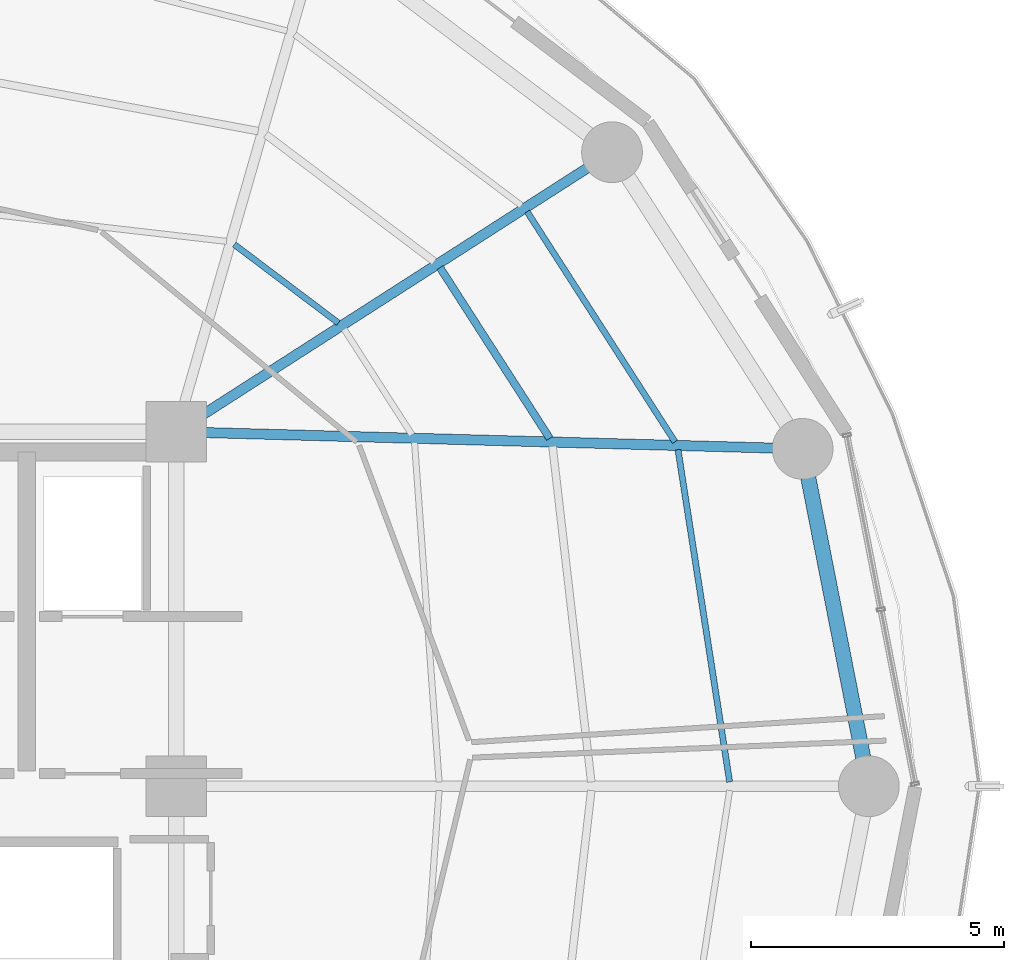
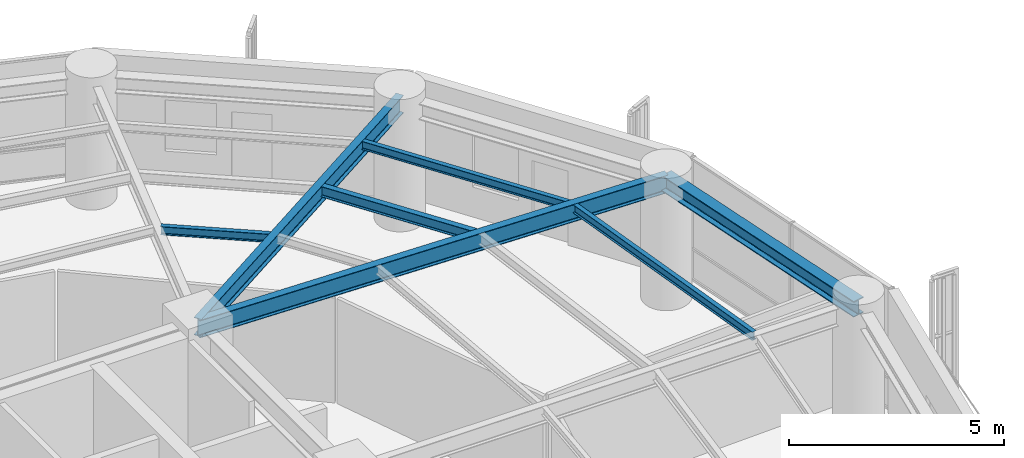
# One storey, part 14 of 28: 7 beams.
"""IFC4 building model written with IfcOpenShell, lengths in metres."""

from ifc_helpers import new_model, si_unit, direction, frame, origin, origin_2d, place, context, subcontext, project, spatial, i_section, extrude, material, material_profile, profile_set, type_object, element, save


model = new_model("IFC4")

# Units and contexts
model_context = context("Model", 3, precision=1e-05, world=origin(), true_north=direction((0.0, 1.0)))
body_context = subcontext(model_context, "Body", "Model", "MODEL_VIEW")
ifc_project = project(units=[si_unit("LENGTHUNIT", "METRE"), si_unit("AREAUNIT", "SQUARE_METRE"), si_unit("VOLUMEUNIT", "CUBIC_METRE"), si_unit("PLANEANGLEUNIT", "RADIAN"), si_unit("MASSUNIT", "GRAM", prefix="KILO")], contexts=[model_context])

# Site, building, storey
site_placement = place(None, origin())
site = spatial("IfcSite", under=ifc_project, at=site_placement, CompositionType="ELEMENT")
building_placement = place(site_placement, origin())
building = spatial("IfcBuilding", under=site, at=building_placement, Name="Kelanora Arch Commons", CompositionType="ELEMENT")
storey_placement = place(building_placement, frame((0.0, 0.0, 158.10009765625)))
storey = spatial("IfcBuildingStorey", under=building, at=storey_placement, Name="L40", CompositionType="ELEMENT", Elevation=158.10009765625)

# Beams
ifc_material = material(Name="Steel S355", Category="steel")
ifc_material_profile_1 = material_profile(ifc_material, i_section(OverallWidth=0.14990234375, OverallDepth=0.300048828125, WebThickness=0.007080078125, FlangeThickness=0.0107421875, FilletRadius=0.014892578125, at=origin_2d()), Name="IPE300")
ifc_profile_set_1 = profile_set([ifc_material_profile_1], Name="Steel S355")
beam_type_1 = type_object("IfcBeamType", Name="BM-JST-01", PredefinedType="JOIST", material=ifc_profile_set_1)
beam_1_placement = place(storey_placement, frame((89.377685546875, 64.869140625, 3.33984375), z_axis=(-0.540594434398, 0.841283339606, 0.0), x_axis=(-0.841283339606, -0.540594434398, 0.0)))
element("IfcBeam", 1, at=beam_1_placement, inside=storey, type_object=beam_type_1, Name="Secondary Chord Joist BJB-02 L40", PredefinedType="JOIST", context=body_context, shape_type="SweptSolid", body=[
    extrude(i_section(OverallWidth=0.14990234375, OverallDepth=0.300048828125, WebThickness=0.007080078125, FlangeThickness=0.0107421875, FilletRadius=0.014892578125, at=origin_2d()), origin(), (0.0, 0.0, 1.0), 4.008544921875),
])
ifc_material_profile_2 = material_profile(ifc_material, i_section(OverallWidth=0.1201171875, OverallDepth=0.239990234375, WebThickness=0.006103515625, FlangeThickness=0.009765625, FilletRadius=0.014892578125, at=origin_2d()), Name="IPE240")
ifc_profile_set_2 = profile_set([ifc_material_profile_2], Name="Steel S355")
beam_type_2 = type_object("IfcBeamType", Name="BM-JST-02", PredefinedType="JOIST", material=ifc_profile_set_2)
beam_2_placement = place(storey_placement, frame((92.930908203125, 58.083984375, 3.369873046875), z_axis=(-0.153562625853, 0.988138917329, 0.0), x_axis=(-0.988138917329, -0.153562625853, 0.0)))
element("IfcBeam", 2, at=beam_2_placement, inside=storey, type_object=beam_type_2, Name="Secondary Chord Joist BJC-00 L40", PredefinedType="JOIST", context=body_context, shape_type="SweptSolid", body=[
    extrude(i_section(OverallWidth=0.1201171875, OverallDepth=0.239990234375, WebThickness=0.006103515625, FlangeThickness=0.009765625, FilletRadius=0.014892578125, at=origin_2d()), origin(), (0.0, 0.0, 1.0), 6.640869140625),
])
beam_3_placement = place(storey_placement, frame((91.85205078125, 64.801513671875, 3.369873046875), z_axis=(-0.540581678156, 0.841291536414, 0.0), x_axis=(-0.841291536414, -0.540581678156, 0.0)))
element("IfcBeam", 3, at=beam_3_placement, inside=storey, type_object=beam_type_2, Name="Secondary Chord Joist BJC-02 L40", PredefinedType="JOIST", context=body_context, shape_type="SweptSolid", body=[
    extrude(i_section(OverallWidth=0.1201171875, OverallDepth=0.239990234375, WebThickness=0.006103515625, FlangeThickness=0.009765625, FilletRadius=0.014892578125, at=origin_2d()), origin(), (0.0, 0.0, 1.0), 5.4013671875),
])
beam_4_placement = place(storey_placement, frame((85.203125, 67.1494140625, 3.369873046875), z_axis=(-0.798484118859, 0.602015873487, 0.0), x_axis=(-0.602015873487, -0.798484118859, 0.0)))
element("IfcBeam", 4, at=beam_4_placement, inside=storey, type_object=beam_type_2, Name="Secondary Chord Joist BJA-04 L40", PredefinedType="JOIST", context=body_context, shape_type="SweptSolid", body=[
    extrude(i_section(OverallWidth=0.1201171875, OverallDepth=0.239990234375, WebThickness=0.006103515625, FlangeThickness=0.009765625, FilletRadius=0.014892578125, at=origin_2d()), origin(), (0.0, 0.0, 1.0), 2.57470703125),
])
ifc_material_profile_3 = material_profile(ifc_material, i_section(OverallWidth=0.199951171875, OverallDepth=0.5, WebThickness=0.01025390625, FlangeThickness=0.01611328125, FilletRadius=0.02099609375, at=origin_2d()), Name="IPE500")
ifc_profile_set_3 = profile_set([ifc_material_profile_3], Name="Steel S355")
beam_type_3 = type_object("IfcBeamType", Name="BM-RAD-Z3", PredefinedType="BEAM", material=ifc_profile_set_3)
beam_5_placement = place(storey_placement, frame((82.0, 65.0, 3.239990234375), z_axis=(0.999628374924, -0.027260081577, 0.0), x_axis=(0.027260081577, 0.999628374924, 0.0)))
element("IfcBeam", 5, at=beam_5_placement, inside=storey, type_object=beam_type_3, Name="Radial Floor Girder BR-02 L40", PredefinedType="BEAM", context=body_context, shape_type="SweptSolid", body=[
    extrude(i_section(OverallWidth=0.199951171875, OverallDepth=0.5, WebThickness=0.01025390625, FlangeThickness=0.01611328125, FilletRadius=0.02099609375, at=origin_2d()), origin(), (0.0, 0.0, 1.0), 12.377197265625),
])
beam_6_placement = place(storey_placement, frame((82.0, 65.0, 3.239990234375), z_axis=(0.841719465748, 0.539915123868, 0.0), x_axis=(-0.539915123868, 0.841719465748, 0.0)))
element("IfcBeam", 6, at=beam_6_placement, inside=storey, type_object=beam_type_3, Name="Radial Floor Girder BR-04 L40", PredefinedType="BEAM", context=body_context, shape_type="SweptSolid", body=[
    extrude(i_section(OverallWidth=0.199951171875, OverallDepth=0.5, WebThickness=0.01025390625, FlangeThickness=0.01611328125, FilletRadius=0.02099609375, at=origin_2d()), origin(), (0.0, 0.0, 1.0), 10.2265625),
])
ifc_material_profile_4 = material_profile(ifc_material, i_section(OverallWidth=0.300048828125, OverallDepth=0.449951171875, WebThickness=0.013916015625, FlangeThickness=0.02587890625, FilletRadius=0.027099609375, at=origin_2d()), Name="HEB450")
ifc_profile_set_4 = profile_set([ifc_material_profile_4], Name="Steel S355")
beam_type_4 = type_object("IfcBeamType", Name="BM-SPN-Z3", PredefinedType="SPANDREL", material=ifc_profile_set_4)
beam_7_placement = place(storey_placement, frame((95.679931640625, 58.0, 3.264892578125), z_axis=(-0.192553643556, 0.981286448675, 0.0), x_axis=(-0.981286448675, -0.192553643556, 0.0)))
element("IfcBeam", 7, at=beam_7_placement, inside=storey, type_object=beam_type_4, Name="Perimeter Spandrel Beam BS-00 L40", PredefinedType="SPANDREL", context=body_context, shape_type="SweptSolid", body=[
    extrude(i_section(OverallWidth=0.300048828125, OverallDepth=0.449951171875, WebThickness=0.013916015625, FlangeThickness=0.02587890625, FilletRadius=0.027099609375, at=origin_2d()), origin(), (0.0, 0.0, 1.0), 6.78955078125),
])

save(model, "model.ifc")
